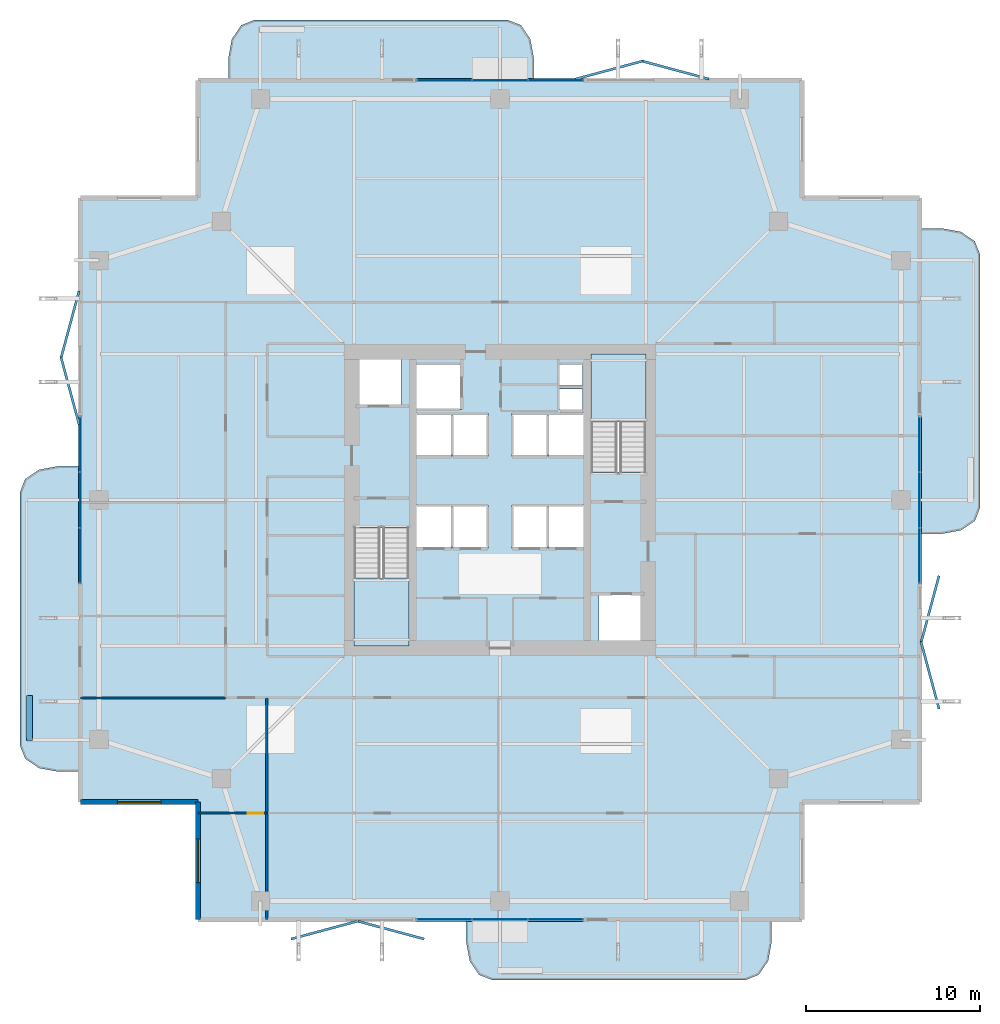
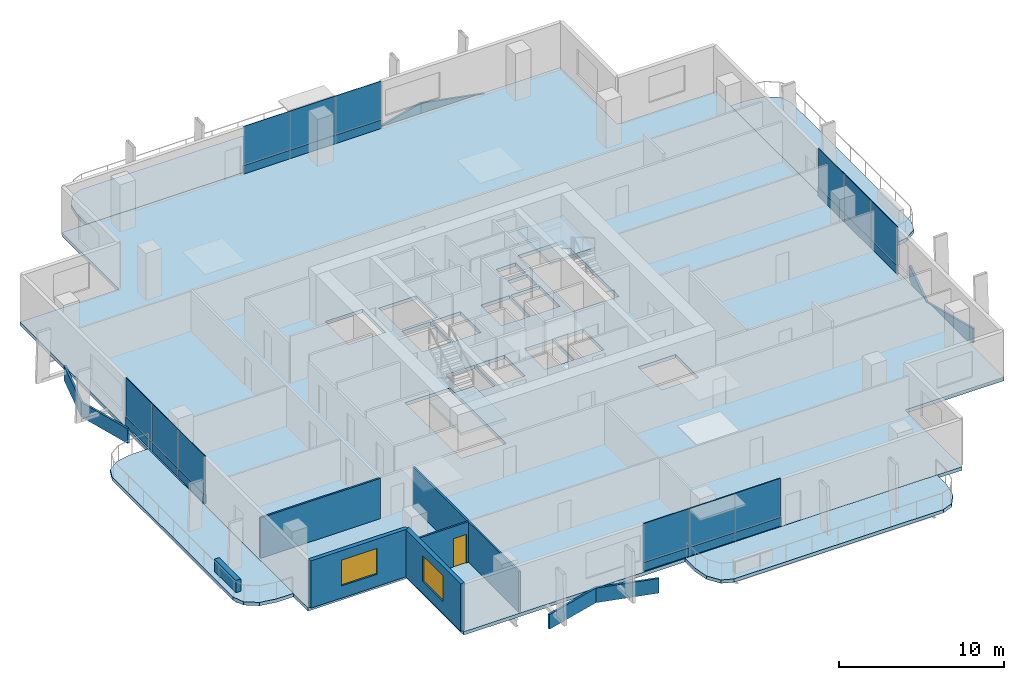
# One storey, part 17 of 25: 32 plates, 7 slabs, 6 walls, 2 windows, 1 door, 3 openings, 6 elements without a shape of their own.
"""IFC4 building model written with IfcOpenShell, lengths in metres."""

from ifc_helpers import new_model, si_unit, direction, frame, frame_2d, origin, origin_2d, place, context, subcontext, project, spatial, polyline, rectangle, outline, extrude, material, layer, layer_set, type_object, element, fill, aggregate, save


model = new_model("IFC4")

# Units and contexts
model_context = context("Model", 3, precision=1e-05, world=origin(), true_north=direction((0.0, 1.0)))
body_context = subcontext(model_context, "Body", "Model", "MODEL_VIEW")
ifc_project = project(units=[si_unit("LENGTHUNIT", "METRE"), si_unit("AREAUNIT", "SQUARE_METRE"), si_unit("VOLUMEUNIT", "CUBIC_METRE"), si_unit("PLANEANGLEUNIT", "RADIAN"), si_unit("MASSUNIT", "GRAM", prefix="KILO")], contexts=[model_context])

# Site, building, storey
site_placement = place(None, origin())
site = spatial("IfcSite", under=ifc_project, at=site_placement, CompositionType="ELEMENT")
building_placement = place(site_placement, origin())
building = spatial("IfcBuilding", under=site, at=building_placement, Name="Belovzor Exchange Tower", CompositionType="ELEMENT")
storey_placement = place(building_placement, frame((0.0, 0.0, 142.050048828125)))
storey = spatial("IfcBuildingStorey", under=building, at=storey_placement, Name="L34", CompositionType="ELEMENT", Elevation=142.050048828125)

# Slab
ifc_material_1 = material(Name="Concrete C40/50", Category="concrete")
ifc_layer_1 = layer(ifc_material_1, 0.2548828125)
ifc_layer_set_1 = layer_set([ifc_layer_1], Name="Concrete C40/50")
slab_type_1 = type_object("IfcSlabType", Name="Composite Waist Floor Deck Slab 255", PredefinedType="FLOOR", material=ifc_layer_set_1)
slab_1_placement = place(storey_placement, frame((0.0, 0.0, -0.255126953125)))
element("IfcSlab", 1, at=slab_1_placement, inside=storey, type_object=slab_type_1, Name="SL-F255 Structural Slab L34", PredefinedType="FLOOR", context=body_context, shape_type="SweptSolid", body=[
    extrude(outline(polyline([(11.39990234375, 4.5), (46.199951171875, 4.5), (46.199951171875, 11.39990234375), (53.10009765625, 11.39990234375), (53.10009765625, 46.199951171875), (46.199951171875, 46.199951171875), (46.199951171875, 53.10009765625), (11.39990234375, 53.10009765625), (11.39990234375, 46.199951171875), (4.5, 46.199951171875), (4.5, 11.39990234375), (11.39990234375, 11.39990234375), (11.39990234375, 4.5)]), holes=[polyline([(20.39990234375, 27.175048828125), (20.39990234375, 20.39990234375), (23.550048828125, 20.39990234375), (23.550048828125, 27.175048828125), (20.39990234375, 27.175048828125)]), polyline([(37.199951171875, 30.425048828125), (37.199951171875, 37.199951171875), (34.050048828125, 37.199951171875), (34.050048828125, 30.425048828125), (37.199951171875, 30.425048828125)]), polyline([(20.5, 34.199951171875), (23.10009765625, 34.199951171875), (23.10009765625, 37.0), (20.5, 37.0), (20.5, 34.199951171875)]), polyline([(34.5, 20.60009765625), (37.10009765625, 20.60009765625), (37.10009765625, 23.39990234375), (34.5, 23.39990234375), (34.5, 20.60009765625)]), polyline([(24.0, 34.0), (26.60009765625, 34.0), (26.60009765625, 36.60009765625), (24.0, 36.60009765625), (24.0, 34.0)]), polyline([(24.0, 26.0), (26.0, 26.0), (26.0, 28.5), (24.0, 28.5), (24.0, 26.0)]), polyline([(26.10009765625, 26.0), (28.10009765625, 26.0), (28.10009765625, 28.5), (26.10009765625, 28.5), (26.10009765625, 26.0)]), polyline([(29.5, 26.0), (31.5, 26.0), (31.5, 28.5), (29.5, 28.5), (29.5, 26.0)]), polyline([(31.60009765625, 26.0), (33.60009765625, 26.0), (33.60009765625, 28.5), (31.60009765625, 28.5), (31.60009765625, 26.0)]), polyline([(24.0, 31.300048828125), (26.0, 31.300048828125), (26.0, 33.800048828125), (24.0, 33.800048828125), (24.0, 31.300048828125)]), polyline([(26.10009765625, 31.300048828125), (28.10009765625, 31.300048828125), (28.10009765625, 33.800048828125), (26.10009765625, 33.800048828125), (26.10009765625, 31.300048828125)]), polyline([(29.5, 31.300048828125), (31.5, 31.300048828125), (31.5, 33.800048828125), (29.5, 33.800048828125), (29.5, 31.300048828125)]), polyline([(31.60009765625, 31.300048828125), (33.60009765625, 31.300048828125), (33.60009765625, 33.800048828125), (31.60009765625, 33.800048828125), (31.60009765625, 31.300048828125)]), polyline([(32.199951171875, 34.0), (33.550048828125, 34.0), (33.550048828125, 35.199951171875), (32.199951171875, 35.199951171875), (32.199951171875, 34.0)]), polyline([(32.199951171875, 35.39990234375), (33.550048828125, 35.39990234375), (33.550048828125, 36.60009765625), (32.199951171875, 36.60009765625), (32.199951171875, 35.39990234375)])]), origin(), (0.0, 0.0, 1.0), 0.255126953125),
])

# Curtain wall, plates
ifc_material_2 = material(Name="Anodised Aluminium Framing", Category="aluminium")
ifc_layer_2 = layer(ifc_material_2, 0.179931640625)
ifc_layer_set_2 = layer_set([ifc_layer_2], Name="Anodised Aluminium Framing")
curtain_wall_type = type_object("IfcCurtainWallType", Name="Recessed Loggia Low-Iron Triple-Glazed Curtain Wall", PredefinedType="NOTDEFINED", material=ifc_layer_set_2)
curtain_wall_1_placement = place(storey_placement, origin())
curtain_wall_1 = element("IfcCurtainWall", 2, at=curtain_wall_1_placement, inside=storey, type_object=curtain_wall_type, Name="CW3 Recessed Loggia Low-Iron Triple-Glazed Curtain Wall L34", PredefinedType="NOTDEFINED")
ifc_material_3 = material(Name="Solar-Control Triple Glazing", Category="glass")
ifc_layer_3 = layer(ifc_material_3, 0.0439453125)
ifc_layer_set_3 = layer_set([ifc_layer_3], Name="Solar-Control Triple Glazing")
plate_type_1 = type_object("IfcPlateType", Name="Insulated Solar Glazing Curtain Panel 44", PredefinedType="CURTAIN_PANEL", material=ifc_layer_set_3)
plate_1_placement = place(storey_placement, frame((32.0, 4.6298828125, 0.630859375), z_axis=(0.0, 0.0, 1.0), x_axis=(-1.0, 0.0, 0.0)))
plate_1 = element("IfcPlate", 3, at=plate_1_placement, type_object=plate_type_1, Name="GLZ-44 Glazed Curtain Panel 1", PredefinedType="CURTAIN_PANEL", context=body_context, shape_type="SweptSolid", body=[
    extrude(rectangle(XDim=3.18408203125, YDim=0.0439453125, at=origin_2d()), origin(), (0.0, 0.0, 1.0), 2.864013671875),
])
plate_2_placement = place(storey_placement, frame((28.800048828125, 4.6298828125, 0.630859375), z_axis=(0.0, 0.0, 1.0), x_axis=(-1.0, 0.0, 0.0)))
plate_2 = element("IfcPlate", 4, at=plate_2_placement, type_object=plate_type_1, Name="GLZ-44 Glazed Curtain Panel 2", PredefinedType="CURTAIN_PANEL", context=body_context, shape_type="SweptSolid", body=[
    extrude(rectangle(XDim=3.18408203125, YDim=0.0439453125, at=origin_2d()), origin(), (0.0, 0.0, 1.0), 2.864013671875),
])
plate_3_placement = place(storey_placement, frame((25.60009765625, 4.6298828125, 0.630859375), z_axis=(0.0, 0.0, 1.0), x_axis=(-1.0, 0.0, 0.0)))
plate_3 = element("IfcPlate", 5, at=plate_3_placement, type_object=plate_type_1, Name="GLZ-44 Glazed Curtain Panel 3", PredefinedType="CURTAIN_PANEL", context=body_context, shape_type="SweptSolid", body=[
    extrude(rectangle(XDim=3.18408203125, YDim=0.0439453125, at=origin_2d()), origin(), (0.0, 0.0, 1.0), 2.864013671875),
])

curtain_wall_2_placement = place(storey_placement, origin())
curtain_wall_2 = element("IfcCurtainWall", 6, at=curtain_wall_2_placement, inside=storey, type_object=curtain_wall_type, Name="CW3 Recessed Loggia Low-Iron Triple-Glazed Curtain Wall L34", PredefinedType="NOTDEFINED")
plate_4_placement = place(storey_placement, frame((25.60009765625, 52.969970703125, 0.630859375), z_axis=(0.0, 0.0, 1.0), x_axis=(1.0, 0.0, 0.0)))
plate_4 = element("IfcPlate", 7, at=plate_4_placement, type_object=plate_type_1, Name="GLZ-44 Glazed Curtain Panel 1", PredefinedType="CURTAIN_PANEL", context=body_context, shape_type="SweptSolid", body=[
    extrude(rectangle(XDim=3.18408203125, YDim=0.0439453125, at=origin_2d()), origin(), (0.0, 0.0, 1.0), 2.864013671875),
])
plate_5_placement = place(storey_placement, frame((28.800048828125, 52.969970703125, 0.630859375), z_axis=(0.0, 0.0, 1.0), x_axis=(1.0, 0.0, 0.0)))
plate_5 = element("IfcPlate", 8, at=plate_5_placement, type_object=plate_type_1, Name="GLZ-44 Glazed Curtain Panel 2", PredefinedType="CURTAIN_PANEL", context=body_context, shape_type="SweptSolid", body=[
    extrude(rectangle(XDim=3.18408203125, YDim=0.0439453125, at=origin_2d()), origin(), (0.0, 0.0, 1.0), 2.864013671875),
])
plate_6_placement = place(storey_placement, frame((32.0, 52.969970703125, 0.630859375), z_axis=(0.0, 0.0, 1.0), x_axis=(1.0, 0.0, 0.0)))
plate_6 = element("IfcPlate", 9, at=plate_6_placement, type_object=plate_type_1, Name="GLZ-44 Glazed Curtain Panel 3", PredefinedType="CURTAIN_PANEL", context=body_context, shape_type="SweptSolid", body=[
    extrude(rectangle(XDim=3.18408203125, YDim=0.0439453125, at=origin_2d()), origin(), (0.0, 0.0, 1.0), 2.864013671875),
])

curtain_wall_3_placement = place(storey_placement, origin())
curtain_wall_3 = element("IfcCurtainWall", 10, at=curtain_wall_3_placement, inside=storey, type_object=curtain_wall_type, Name="CW3 Recessed Loggia Low-Iron Triple-Glazed Curtain Wall L34", PredefinedType="NOTDEFINED")
plate_7_placement = place(storey_placement, frame((4.6298828125, 25.60009765625, 0.630859375), z_axis=(0.0, 0.0, 1.0), x_axis=(0.0, 1.0, 0.0)))
plate_7 = element("IfcPlate", 11, at=plate_7_placement, type_object=plate_type_1, Name="GLZ-44 Glazed Curtain Panel 1", PredefinedType="CURTAIN_PANEL", context=body_context, shape_type="SweptSolid", body=[
    extrude(rectangle(XDim=3.18408203125, YDim=0.0439453125, at=origin_2d()), origin(), (0.0, 0.0, 1.0), 2.864013671875),
])
plate_8_placement = place(storey_placement, frame((4.6298828125, 28.800048828125, 0.630859375), z_axis=(0.0, 0.0, 1.0), x_axis=(0.0, 1.0, 0.0)))
plate_8 = element("IfcPlate", 12, at=plate_8_placement, type_object=plate_type_1, Name="GLZ-44 Glazed Curtain Panel 2", PredefinedType="CURTAIN_PANEL", context=body_context, shape_type="SweptSolid", body=[
    extrude(rectangle(XDim=3.18408203125, YDim=0.0439453125, at=origin_2d()), origin(), (0.0, 0.0, 1.0), 2.864013671875),
])
plate_9_placement = place(storey_placement, frame((4.6298828125, 32.0, 0.630859375), z_axis=(0.0, 0.0, 1.0), x_axis=(0.0, 1.0, 0.0)))
plate_9 = element("IfcPlate", 13, at=plate_9_placement, type_object=plate_type_1, Name="GLZ-44 Glazed Curtain Panel 3", PredefinedType="CURTAIN_PANEL", context=body_context, shape_type="SweptSolid", body=[
    extrude(rectangle(XDim=3.18408203125, YDim=0.0439453125, at=origin_2d()), origin(), (0.0, 0.0, 1.0), 2.864013671875),
])

curtain_wall_4_placement = place(storey_placement, origin())
curtain_wall_4 = element("IfcCurtainWall", 14, at=curtain_wall_4_placement, inside=storey, type_object=curtain_wall_type, Name="CW3 Recessed Loggia Low-Iron Triple-Glazed Curtain Wall L34", PredefinedType="NOTDEFINED")
plate_10_placement = place(storey_placement, frame((52.969970703125, 32.0, 0.630859375), z_axis=(0.0, 0.0, 1.0), x_axis=(0.0, -1.0, 0.0)))
plate_10 = element("IfcPlate", 15, at=plate_10_placement, type_object=plate_type_1, Name="GLZ-44 Glazed Curtain Panel 1", PredefinedType="CURTAIN_PANEL", context=body_context, shape_type="SweptSolid", body=[
    extrude(rectangle(XDim=3.18408203125, YDim=0.0439453125, at=origin_2d()), origin(), (0.0, 0.0, 1.0), 2.864013671875),
])
plate_11_placement = place(storey_placement, frame((52.969970703125, 28.800048828125, 0.630859375), z_axis=(0.0, 0.0, 1.0), x_axis=(0.0, -1.0, 0.0)))
plate_11 = element("IfcPlate", 16, at=plate_11_placement, type_object=plate_type_1, Name="GLZ-44 Glazed Curtain Panel 2", PredefinedType="CURTAIN_PANEL", context=body_context, shape_type="SweptSolid", body=[
    extrude(rectangle(XDim=3.18408203125, YDim=0.0439453125, at=origin_2d()), origin(), (0.0, 0.0, 1.0), 2.864013671875),
])
plate_12_placement = place(storey_placement, frame((52.969970703125, 25.60009765625, 0.630859375), z_axis=(0.0, 0.0, 1.0), x_axis=(0.0, -1.0, 0.0)))
plate_12 = element("IfcPlate", 17, at=plate_12_placement, type_object=plate_type_1, Name="GLZ-44 Glazed Curtain Panel 3", PredefinedType="CURTAIN_PANEL", context=body_context, shape_type="SweptSolid", body=[
    extrude(rectangle(XDim=3.18408203125, YDim=0.0439453125, at=origin_2d()), origin(), (0.0, 0.0, 1.0), 2.864013671875),
])

# Plates
ifc_material_4 = material(Name="Extruded Architectural Terracotta", Category="masonry")
ifc_layer_4 = layer(ifc_material_4, 0.139892578125)
ifc_layer_set_4 = layer_set([ifc_layer_4], Name="Extruded Architectural Terracotta")
plate_type_2 = type_object("IfcPlateType", Name="Mid-Tower Folded Zigzag Terracotta Spandrel Louvre 120", PredefinedType="USERDEFINED", material=ifc_layer_set_4)
for number, where, z_axis, x_axis, name in (
    (18, (18.699951171875, 4.030029296875, -1.065185546875), (0.0, 0.0, 1.0), (0.965812803231, 0.259240485101, 0.0), "LVR-ZZ2 Zigzag Terracotta Spandrel Louvre L34 S1A"),
    (19, (22.5, 4.030029296875, -1.065185546875), (0.0, 0.0, 1.0), (0.965812803231, -0.259240485101, 0.0), "LVR-ZZ2 Zigzag Terracotta Spandrel Louvre L34 S1B"),
    (20, (53.570068359375, 18.699951171875, -1.065185546875), (0.0, 0.0, 1.0), (-0.259240485101, 0.965812803231, 0.0), "LVR-ZZ2 Zigzag Terracotta Spandrel Louvre L34 E1A"),
    (21, (53.570068359375, 22.5, -1.065185546875), (0.0, 0.0, 1.0), (0.259240485101, 0.965812803231, 0.0), "LVR-ZZ2 Zigzag Terracotta Spandrel Louvre L34 E1B"),
    (22, (35.10009765625, 53.570068359375, -1.065185546875), (0.0, 0.0, 1.0), (0.965812803231, 0.259240485101, 0.0), "LVR-ZZ2 Zigzag Terracotta Spandrel Louvre L34 N2A"),
    (23, (38.89990234375, 53.570068359375, -1.065185546875), (0.0, 0.0, 1.0), (0.965812803231, -0.259240485101, 0.0), "LVR-ZZ2 Zigzag Terracotta Spandrel Louvre L34 N2B"),
    (24, (4.030029296875, 35.10009765625, -1.065185546875), (0.0, 0.0, 1.0), (-0.259240485101, 0.965812803231, 0.0), "LVR-ZZ2 Zigzag Terracotta Spandrel Louvre L34 W2A"),
    (25, (4.030029296875, 38.89990234375, -1.065185546875), (0.0, 0.0, 1.0), (0.259240485101, 0.965812803231, 0.0), "LVR-ZZ2 Zigzag Terracotta Spandrel Louvre L34 W2B"),
):
    element("IfcPlate", number, at=place(storey_placement, frame(where, z_axis=z_axis, x_axis=x_axis)), inside=storey, type_object=plate_type_2, Name=name, ObjectType="SPANDREL_LOUVRE", PredefinedType="USERDEFINED", context=body_context, shape_type="SweptSolid", body=[
        extrude(rectangle(XDim=4.014892578125, YDim=0.139892578125, at=origin_2d()), origin(), (0.0, 0.0, 1.0), 1.080078125),
    ])

# Stair, slab
ifc_material_5 = material(Name="Concrete C40/50", Category="concrete")
stair_type = type_object("IfcStairType", Name="Reinforced Concrete Dogleg Escape Stair 1350", PredefinedType="HALF_TURN_STAIR", material=ifc_material_5)
stair_1_placement = place(storey_placement, origin())
stair_1 = element("IfcStair", 26, at=stair_1_placement, inside=storey, type_object=stair_type, Name="L34 ST-1", PredefinedType="HALF_TURN_STAIR")
ifc_material_6 = material(Name="Concrete C40/50", Category="concrete")
ifc_layer_5 = layer(ifc_material_6, 0.199951171875)
ifc_layer_set_5 = layer_set([ifc_layer_5], Name="Concrete C40/50")
slab_type_2 = type_object("IfcSlabType", Name="Reinforced Concrete Stair Half-Landing Slab 200", PredefinedType="LANDING", material=ifc_layer_set_5)
slab_2_placement = place(storey_placement, frame((0.0, 0.0, 1.675048828125)))
slab_2 = element("IfcSlab", 27, at=slab_2_placement, type_object=slab_type_2, Name="ST-1 landing 1", PredefinedType="LANDING", context=body_context, shape_type="SweptSolid", body=[
    extrude(outline(polyline([(20.39990234375, 24.300048828125), (20.39990234375, 20.39990234375), (23.550048828125, 20.39990234375), (23.550048828125, 24.300048828125), (20.39990234375, 24.300048828125)])), origin(), (0.0, 0.0, 1.0), 0.199951171875),
])
aggregate(stair_1, [slab_2])

stair_2_placement = place(storey_placement, origin())
stair_2 = element("IfcStair", 28, at=stair_2_placement, inside=storey, type_object=stair_type, Name="L34 ST-2", PredefinedType="HALF_TURN_STAIR")
slab_3_placement = place(storey_placement, frame((0.0, 0.0, 1.675048828125)))
slab_3 = element("IfcSlab", 29, at=slab_3_placement, type_object=slab_type_2, Name="ST-2 landing 1", PredefinedType="LANDING", context=body_context, shape_type="SweptSolid", body=[
    extrude(outline(polyline([(37.199951171875, 33.300048828125), (37.199951171875, 37.199951171875), (34.050048828125, 37.199951171875), (34.050048828125, 33.300048828125), (37.199951171875, 33.300048828125)])), origin(), (0.0, 0.0, 1.0), 0.199951171875),
])
aggregate(stair_2, [slab_3])

# Plate
ifc_material_7 = material(Name="Extruded Architectural Terracotta", Category="masonry")
ifc_layer_6 = layer(ifc_material_7, 0.090087890625)
ifc_layer_set_6 = layer_set([ifc_layer_6], Name="Extruded Architectural Terracotta")
plate_type_3 = type_object("IfcPlateType", Name="Terracotta Shadow-Box Spandrel Panel 90", PredefinedType="CURTAIN_PANEL", material=ifc_layer_set_6)
plate_13_placement = place(storey_placement, frame((32.0, 4.6298828125, 0.00048828125), z_axis=(0.0, 0.0, 1.0), x_axis=(-1.0, 0.0, 0.0)))
plate_13 = element("IfcPlate", 30, at=plate_13_placement, type_object=plate_type_3, Name="SPD-90 Spandrel Panel 1", PredefinedType="CURTAIN_PANEL", context=body_context, shape_type="SweptSolid", body=[
    extrude(rectangle(XDim=3.18408203125, YDim=0.090087890625, at=origin_2d()), origin(), (0.0, 0.0, 1.0), 0.626953125),
])

plate_14_placement = place(storey_placement, frame((28.800048828125, 4.6298828125, 0.00048828125), z_axis=(0.0, 0.0, 1.0), x_axis=(-1.0, 0.0, 0.0)))
plate_14 = element("IfcPlate", 31, at=plate_14_placement, type_object=plate_type_3, Name="SPD-90 Spandrel Panel 2", PredefinedType="CURTAIN_PANEL", context=body_context, shape_type="SweptSolid", body=[
    extrude(rectangle(XDim=3.18408203125, YDim=0.090087890625, at=origin_2d()), origin(), (0.0, 0.0, 1.0), 0.626953125),
])

plate_15_placement = place(storey_placement, frame((25.60009765625, 4.6298828125, 0.00048828125), z_axis=(0.0, 0.0, 1.0), x_axis=(-1.0, 0.0, 0.0)))
plate_15 = element("IfcPlate", 32, at=plate_15_placement, type_object=plate_type_3, Name="SPD-90 Spandrel Panel 3", PredefinedType="CURTAIN_PANEL", context=body_context, shape_type="SweptSolid", body=[
    extrude(rectangle(XDim=3.18408203125, YDim=0.090087890625, at=origin_2d()), origin(), (0.0, 0.0, 1.0), 0.626953125),
])

aggregate(curtain_wall_1, [plate_13, plate_1, plate_14, plate_2, plate_15, plate_3])

plate_16_placement = place(storey_placement, frame((25.60009765625, 52.969970703125, 0.00048828125), z_axis=(0.0, 0.0, 1.0), x_axis=(1.0, 0.0, 0.0)))
plate_16 = element("IfcPlate", 33, at=plate_16_placement, type_object=plate_type_3, Name="SPD-90 Spandrel Panel 1", PredefinedType="CURTAIN_PANEL", context=body_context, shape_type="SweptSolid", body=[
    extrude(rectangle(XDim=3.18408203125, YDim=0.090087890625, at=origin_2d()), origin(), (0.0, 0.0, 1.0), 0.626953125),
])

plate_17_placement = place(storey_placement, frame((28.800048828125, 52.969970703125, 0.00048828125), z_axis=(0.0, 0.0, 1.0), x_axis=(1.0, 0.0, 0.0)))
plate_17 = element("IfcPlate", 34, at=plate_17_placement, type_object=plate_type_3, Name="SPD-90 Spandrel Panel 2", PredefinedType="CURTAIN_PANEL", context=body_context, shape_type="SweptSolid", body=[
    extrude(rectangle(XDim=3.18408203125, YDim=0.090087890625, at=origin_2d()), origin(), (0.0, 0.0, 1.0), 0.626953125),
])

plate_18_placement = place(storey_placement, frame((32.0, 52.969970703125, 0.00048828125), z_axis=(0.0, 0.0, 1.0), x_axis=(1.0, 0.0, 0.0)))
plate_18 = element("IfcPlate", 35, at=plate_18_placement, type_object=plate_type_3, Name="SPD-90 Spandrel Panel 3", PredefinedType="CURTAIN_PANEL", context=body_context, shape_type="SweptSolid", body=[
    extrude(rectangle(XDim=3.18408203125, YDim=0.090087890625, at=origin_2d()), origin(), (0.0, 0.0, 1.0), 0.626953125),
])

aggregate(curtain_wall_2, [plate_16, plate_4, plate_17, plate_5, plate_18, plate_6])

plate_19_placement = place(storey_placement, frame((4.6298828125, 25.60009765625, 0.00048828125), z_axis=(0.0, 0.0, 1.0), x_axis=(0.0, 1.0, 0.0)))
plate_19 = element("IfcPlate", 36, at=plate_19_placement, type_object=plate_type_3, Name="SPD-90 Spandrel Panel 1", PredefinedType="CURTAIN_PANEL", context=body_context, shape_type="SweptSolid", body=[
    extrude(rectangle(XDim=3.18408203125, YDim=0.090087890625, at=origin_2d()), origin(), (0.0, 0.0, 1.0), 0.626953125),
])

plate_20_placement = place(storey_placement, frame((4.6298828125, 28.800048828125, 0.00048828125), z_axis=(0.0, 0.0, 1.0), x_axis=(0.0, 1.0, 0.0)))
plate_20 = element("IfcPlate", 37, at=plate_20_placement, type_object=plate_type_3, Name="SPD-90 Spandrel Panel 2", PredefinedType="CURTAIN_PANEL", context=body_context, shape_type="SweptSolid", body=[
    extrude(rectangle(XDim=3.18408203125, YDim=0.090087890625, at=origin_2d()), origin(), (0.0, 0.0, 1.0), 0.626953125),
])

plate_21_placement = place(storey_placement, frame((4.6298828125, 32.0, 0.00048828125), z_axis=(0.0, 0.0, 1.0), x_axis=(0.0, 1.0, 0.0)))
plate_21 = element("IfcPlate", 38, at=plate_21_placement, type_object=plate_type_3, Name="SPD-90 Spandrel Panel 3", PredefinedType="CURTAIN_PANEL", context=body_context, shape_type="SweptSolid", body=[
    extrude(rectangle(XDim=3.18408203125, YDim=0.090087890625, at=origin_2d()), origin(), (0.0, 0.0, 1.0), 0.626953125),
])

aggregate(curtain_wall_3, [plate_19, plate_7, plate_20, plate_8, plate_21, plate_9])

plate_22_placement = place(storey_placement, frame((52.969970703125, 32.0, 0.00048828125), z_axis=(0.0, 0.0, 1.0), x_axis=(0.0, -1.0, 0.0)))
plate_22 = element("IfcPlate", 39, at=plate_22_placement, type_object=plate_type_3, Name="SPD-90 Spandrel Panel 1", PredefinedType="CURTAIN_PANEL", context=body_context, shape_type="SweptSolid", body=[
    extrude(rectangle(XDim=3.18408203125, YDim=0.090087890625, at=origin_2d()), origin(), (0.0, 0.0, 1.0), 0.626953125),
])

plate_23_placement = place(storey_placement, frame((52.969970703125, 28.800048828125, 0.00048828125), z_axis=(0.0, 0.0, 1.0), x_axis=(0.0, -1.0, 0.0)))
plate_23 = element("IfcPlate", 40, at=plate_23_placement, type_object=plate_type_3, Name="SPD-90 Spandrel Panel 2", PredefinedType="CURTAIN_PANEL", context=body_context, shape_type="SweptSolid", body=[
    extrude(rectangle(XDim=3.18408203125, YDim=0.090087890625, at=origin_2d()), origin(), (0.0, 0.0, 1.0), 0.626953125),
])

plate_24_placement = place(storey_placement, frame((52.969970703125, 25.60009765625, 0.00048828125), z_axis=(0.0, 0.0, 1.0), x_axis=(0.0, -1.0, 0.0)))
plate_24 = element("IfcPlate", 41, at=plate_24_placement, type_object=plate_type_3, Name="SPD-90 Spandrel Panel 3", PredefinedType="CURTAIN_PANEL", context=body_context, shape_type="SweptSolid", body=[
    extrude(rectangle(XDim=3.18408203125, YDim=0.090087890625, at=origin_2d()), origin(), (0.0, 0.0, 1.0), 0.626953125),
])

aggregate(curtain_wall_4, [plate_22, plate_10, plate_23, plate_11, plate_24, plate_12])

# Slabs
ifc_material_8 = material(Name="Concrete C40/50", Category="concrete")
ifc_layer_7 = layer(ifc_material_8, 0.25)
ifc_layer_set_7 = layer_set([ifc_layer_7], Name="Concrete C40/50")
slab_type_3 = type_object("IfcSlabType", Name="Thermally Broken Planted Balcony Slab 250", PredefinedType="FLOOR", material=ifc_layer_set_7)
slab_4_placement = place(storey_placement, frame((0.0, 0.0, -0.25)))
element("IfcSlab", 42, at=slab_4_placement, inside=storey, type_object=slab_type_3, Name="SL-BAL220 Planted Balcony Loggia L34 South", PredefinedType="FLOOR", context=body_context, shape_type="SweptSolid", body=[
    extrude(outline(polyline([(26.85009765625, 4.514892578125), (26.85009765625, 3.35009765625), (27.051025390625, 2.25), (27.60009765625, 1.445068359375), (28.35009765625, 1.14990234375), (42.949951171875, 1.14990234375), (43.699951171875, 1.445068359375), (44.2490234375, 2.25), (44.449951171875, 3.35009765625), (44.449951171875, 4.514892578125), (26.85009765625, 4.514892578125)])), origin(), (0.0, 0.0, 1.0), 0.25),
])
slab_5_placement = place(storey_placement, frame((0.0, 0.0, -0.25)))
element("IfcSlab", 43, at=slab_5_placement, inside=storey, type_object=slab_type_3, Name="SL-BAL220 Planted Balcony Loggia L34 North", PredefinedType="FLOOR", context=body_context, shape_type="SweptSolid", body=[
    extrude(outline(polyline([(30.75, 53.0849609375), (30.75, 54.25), (30.549072265625, 55.35009765625), (30.0, 56.155029296875), (29.25, 56.449951171875), (14.64990234375, 56.449951171875), (13.89990234375, 56.155029296875), (13.35107421875, 55.35009765625), (13.14990234375, 54.25), (13.14990234375, 53.0849609375), (30.75, 53.0849609375)])), origin(), (0.0, 0.0, 1.0), 0.25),
])
slab_6_placement = place(storey_placement, frame((0.0, 0.0, -0.25)))
element("IfcSlab", 44, at=slab_6_placement, inside=storey, type_object=slab_type_3, Name="SL-BAL220 Planted Balcony Loggia L34 East", PredefinedType="FLOOR", context=body_context, shape_type="SweptSolid", body=[
    extrude(outline(polyline([(53.0849609375, 26.85009765625), (54.25, 26.85009765625), (55.35009765625, 27.051025390625), (56.155029296875, 27.60009765625), (56.449951171875, 28.35009765625), (56.449951171875, 42.949951171875), (56.155029296875, 43.699951171875), (55.35009765625, 44.2490234375), (54.25, 44.449951171875), (53.0849609375, 44.449951171875), (53.0849609375, 26.85009765625)])), origin(), (0.0, 0.0, 1.0), 0.25),
])
slab_7_placement = place(storey_placement, frame((0.0, 0.0, -0.25)))
element("IfcSlab", 45, at=slab_7_placement, inside=storey, type_object=slab_type_3, Name="SL-BAL220 Planted Balcony Loggia L34 West", PredefinedType="FLOOR", context=body_context, shape_type="SweptSolid", body=[
    extrude(outline(polyline([(4.514892578125, 30.75), (3.35009765625, 30.75), (2.25, 30.549072265625), (1.445068359375, 30.0), (1.14990234375, 29.25), (1.14990234375, 14.64990234375), (1.445068359375, 13.89990234375), (2.25, 13.35107421875), (3.35009765625, 13.14990234375), (4.514892578125, 13.14990234375), (4.514892578125, 30.75)])), origin(), (0.0, 0.0, 1.0), 0.25),
])

# Wall, opening, door
ifc_material_9 = material(Name="Acoustic Plasterboard on Galvanised Studs", Category="gypsum")
ifc_layer_8 = layer(ifc_material_9, 0.1201171875)
ifc_layer_set_8 = layer_set([ifc_layer_8], Name="Acoustic Plasterboard on Galvanised Studs")
wall_type_1 = type_object("IfcWallType", Name="Acoustic Double-Stud Partition Wall 120", PredefinedType="PARTITIONING", material=ifc_layer_set_8)
wall_1_placement = place(storey_placement, frame((11.39990234375, 10.76611328125, 0.0), z_axis=(0.0, 0.0, 1.0), x_axis=(1.0, 0.0, 0.0)))
wall_1 = element("IfcWall", 46, at=wall_1_placement, inside=storey, type_object=wall_type_1, Name="W-P120 Partition Wall W-L34-SHDIV-0", PredefinedType="PARTITIONING", context=body_context, shape_type="SweptSolid", body=[
    extrude(rectangle(XDim=3.965087890625, YDim=0.1201171875, at=frame_2d((1.982421875, 0.0))), origin(), (0.0, 0.0, 1.0), 2.97998046875),
])
opening_1_placement = place(wall_1_placement, frame((2.864990234375, 0.0, 0.0)))
opening_1 = element("IfcOpeningElement", 47, at=opening_1_placement, cuts=wall_1, Name="Opening D-INT-090", PredefinedType="OPENING", context=body_context, shape_type="SweptSolid", body=[
    extrude(rectangle(XDim=0.89990234375, YDim=2.10009765625, at=frame_2d((0.449951171875, 1.050048828125))), frame((0.0, 0.070068359375, 0.0), z_axis=(0.0, -1.0, 0.0), x_axis=(1.0, 0.0, 0.0)), (0.0, 0.0, 1.0), 0.14013671875),
])
ifc_material_10 = material(Name="Veneered Hardwood Acoustic Leaf", Category="wood")
door_type = type_object("IfcDoorType", Name="Trading Suite Acoustic Single Door 900x2100", OperationType="NOTDEFINED", PredefinedType="DOOR", material=ifc_material_10)
door_placement = place(opening_1_placement, origin())
door = element("IfcDoor", 48, at=door_placement, inside=storey, type_object=door_type, Name="D-INT-090 Trading Suite Acoustic Single Door 900x2100", OperationType="SINGLE_SWING_LEFT", OverallHeight=2.10009765625, OverallWidth=0.89990234375, PredefinedType="DOOR", context=body_context, shape_type="SweptSolid", body=[
    extrude(rectangle(XDim=0.89990234375, YDim=2.10009765625, at=frame_2d((0.449951171875, 1.050048828125))), frame((0.0, 0.02490234375, 0.0), z_axis=(0.0, -1.0, 0.0), x_axis=(1.0, 0.0, 0.0)), (0.0, 0.0, 1.0), 0.050048828125),
])
fill(opening_1, door)

# Walls
wall_2_placement = place(storey_placement, frame((15.364990234375, 4.6298828125, 0.0), z_axis=(0.0, 0.0, 1.0), x_axis=(0.0, 1.0, 0.0)))
element("IfcWall", 49, at=wall_2_placement, inside=storey, type_object=wall_type_1, Name="W-P120 Partition Wall W-L34-SDIV-1", PredefinedType="PARTITIONING", context=body_context, shape_type="SweptSolid", body=[
    extrude(rectangle(XDim=12.77001953125, YDim=0.1201171875, at=frame_2d((6.385009765625, 0.0))), origin(), (0.0, 0.0, 1.0), 2.97998046875),
])
wall_3_placement = place(storey_placement, frame((4.6298828125, 17.39990234375, 0.0), z_axis=(0.0, 0.0, 1.0), x_axis=(1.0, 0.0, 0.0)))
element("IfcWall", 50, at=wall_3_placement, inside=storey, type_object=wall_type_1, Name="W-P120 Partition Wall W-L34-END-SW", PredefinedType="PARTITIONING", context=body_context, shape_type="SweptSolid", body=[
    extrude(rectangle(XDim=8.3701171875, YDim=0.1201171875, at=frame_2d((4.18505859375, 0.0))), origin(), (0.0, 0.0, 1.0), 2.97998046875),
])

# Wall, opening, window
ifc_material_11 = material(Name="Precast concrete C40/50", Category="concrete")
ifc_layer_9 = layer(ifc_material_11, 0.280029296875)
ifc_layer_set_9 = layer_set([ifc_layer_9], Name="Precast concrete C40/50")
wall_type_2 = type_object("IfcWallType", Name="Precast Concrete Notched Corner Frame Wall 280", PredefinedType="SOLIDWALL", material=ifc_layer_set_9)
wall_4_placement = place(storey_placement, frame((11.39990234375, 4.6298828125, 0.0), z_axis=(0.0, 0.0, 1.0), x_axis=(0.0, 1.0, 0.0)))
wall_4 = element("IfcWall", 51, at=wall_4_placement, inside=storey, type_object=wall_type_2, Name="W-CRN280 Precast Concrete Notched Corner Frame Wall 280 L34", PredefinedType="SOLIDWALL", context=body_context, shape_type="SweptSolid", body=[
    extrude(rectangle(XDim=6.77001953125, YDim=0.280029296875, at=frame_2d((3.385009765625, 0.0))), origin(), (0.0, 0.0, 1.0), 3.494873046875),
])
opening_2_placement = place(wall_4_placement, frame((2.135009765625, 0.0, 0.89990234375)))
opening_2 = element("IfcOpeningElement", 52, at=opening_2_placement, cuts=wall_4, Name="Opening WN-CRN250", PredefinedType="OPENING", context=body_context, shape_type="SweptSolid", body=[
    extrude(rectangle(XDim=2.5, YDim=1.89990234375, at=frame_2d((1.25, 0.949951171875))), frame((0.0, 0.14990234375, 0.0), z_axis=(0.0, -1.0, 0.0), x_axis=(1.0, 0.0, 0.0)), (0.0, 0.0, 1.0), 0.300048828125),
])
ifc_material_12 = material(Name="Thermally Broken Aluminium and Triple Glazing", Category="aluminium")
window_type = type_object("IfcWindowType", Name="Streamline Moderne Corner Wrap Ribbon Window 2500x1900", PartitioningType="SINGLE_PANEL", PredefinedType="WINDOW", material=ifc_material_12)
window_1_placement = place(opening_2_placement, origin())
window_1 = element("IfcWindow", 53, at=window_1_placement, inside=storey, type_object=window_type, Name="WN-CRN250 Streamline Moderne Corner Wrap Ribbon Window 2500x1900", OverallHeight=1.89990234375, OverallWidth=2.5, PartitioningType="SINGLE_PANEL", PredefinedType="WINDOW", context=body_context, shape_type="SweptSolid", body=[
    extrude(rectangle(XDim=2.5, YDim=1.89990234375, at=frame_2d((1.25, 0.949951171875))), frame((0.0, 0.030029296875, 0.0), z_axis=(0.0, -1.0, 0.0), x_axis=(1.0, 0.0, 0.0)), (0.0, 0.0, 1.0), 0.06005859375),
])
fill(opening_2, window_1)

wall_5_placement = place(storey_placement, frame((11.39990234375, 11.39990234375, 0.0), z_axis=(0.0, 0.0, 1.0), x_axis=(-1.0, 0.0, 0.0)))
wall_5 = element("IfcWall", 54, at=wall_5_placement, inside=storey, type_object=wall_type_2, Name="W-CRN280 Precast Concrete Notched Corner Frame Wall 280 L34", PredefinedType="SOLIDWALL", context=body_context, shape_type="SweptSolid", body=[
    extrude(rectangle(XDim=6.77001953125, YDim=0.280029296875, at=frame_2d((3.385009765625, 0.0))), origin(), (0.0, 0.0, 1.0), 3.494873046875),
])
opening_3_placement = place(wall_5_placement, frame((2.135009765625, 0.0, 0.89990234375)))
opening_3 = element("IfcOpeningElement", 55, at=opening_3_placement, cuts=wall_5, Name="Opening WN-CRN250", PredefinedType="OPENING", context=body_context, shape_type="SweptSolid", body=[
    extrude(rectangle(XDim=2.5, YDim=1.89990234375, at=frame_2d((1.25, 0.949951171875))), frame((0.0, 0.14990234375, 0.0), z_axis=(0.0, -1.0, 0.0), x_axis=(1.0, 0.0, 0.0)), (0.0, 0.0, 1.0), 0.300048828125),
])
window_2_placement = place(opening_3_placement, origin())
window_2 = element("IfcWindow", 56, at=window_2_placement, inside=storey, type_object=window_type, Name="WN-CRN250 Streamline Moderne Corner Wrap Ribbon Window 2500x1900", OverallHeight=1.89990234375, OverallWidth=2.5, PartitioningType="SINGLE_PANEL", PredefinedType="WINDOW", context=body_context, shape_type="SweptSolid", body=[
    extrude(rectangle(XDim=2.5, YDim=1.89990234375, at=frame_2d((1.25, 0.949951171875))), frame((0.0, 0.030029296875, 0.0), z_axis=(0.0, -1.0, 0.0), x_axis=(1.0, 0.0, 0.0)), (0.0, 0.0, 1.0), 0.06005859375),
])
fill(opening_3, window_2)

# Wall
ifc_material_13 = material(Name="Precast concrete C40/50", Category="concrete")
ifc_layer_10 = layer(ifc_material_13, 0.35009765625)
ifc_layer_set_10 = layer_set([ifc_layer_10], Name="Precast concrete C40/50")
wall_type_3 = type_object("IfcWallType", Name="Precast Concrete Structural Tree Planter Trough 350", PredefinedType="PARAPET", material=ifc_layer_set_10)
wall_6_placement = place(storey_placement, frame((1.699951171875, 14.949951171875, 0.0), z_axis=(0.0, 0.0, 1.0), x_axis=(0.0, 1.0, 0.0)))
element("IfcWall", 57, at=wall_6_placement, inside=storey, type_object=wall_type_3, Name="PT-350 Precast Concrete Structural Tree Planter Trough 350 L34", PredefinedType="PARAPET", context=body_context, shape_type="SweptSolid", body=[
    extrude(rectangle(XDim=2.60009765625, YDim=0.35009765625, at=frame_2d((1.300048828125, 0.0))), origin(), (0.0, 0.0, 1.0), 0.89990234375),
])

save(model, "model.ifc")
